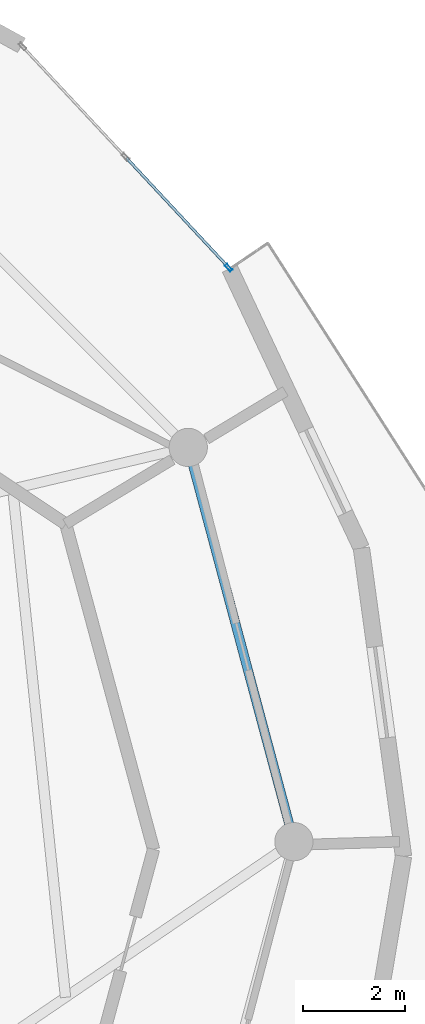
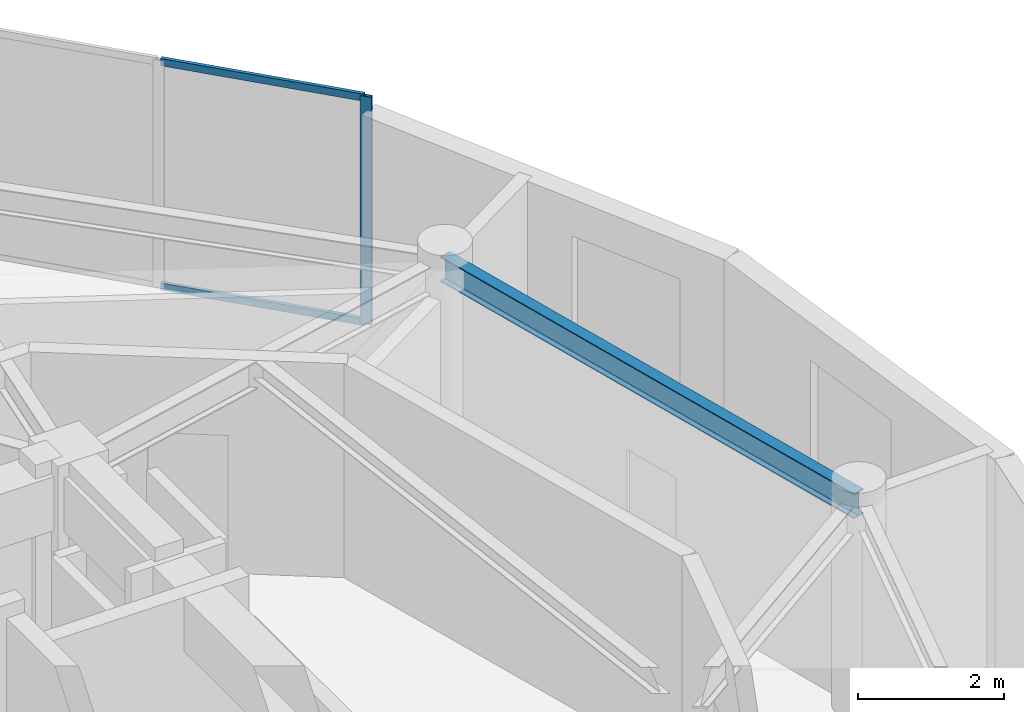
# One storey, part 12 of 23: 3 members, 1 beam, 1 element without a shape of its own.
"""IFC4 building model written with IfcOpenShell, lengths in metres."""

from ifc_helpers import new_model, si_unit, direction, frame, origin, origin_2d, place, context, subcontext, project, spatial, hollow_rectangle, i_section, extrude, source, transform, mapped, material, layer, layer_set, material_profile, profile_set, type_object, element, aggregate, save


model = new_model("IFC4")

# Units and contexts
model_context = context("Model", 3, precision=1e-05, world=origin(), true_north=direction((0.0, 1.0)))
body_context = subcontext(model_context, "Body", "Model", "MODEL_VIEW")
ifc_project = project(units=[si_unit("LENGTHUNIT", "METRE"), si_unit("AREAUNIT", "SQUARE_METRE"), si_unit("VOLUMEUNIT", "CUBIC_METRE"), si_unit("PLANEANGLEUNIT", "RADIAN"), si_unit("MASSUNIT", "GRAM", prefix="KILO")], contexts=[model_context])

# Site, building, storey
site_placement = place(None, origin())
site = spatial("IfcSite", under=ifc_project, at=site_placement, CompositionType="ELEMENT")
building_placement = place(site_placement, origin())
building = spatial("IfcBuilding", under=site, at=building_placement, Name="Solvirekh Grand Hotel", CompositionType="ELEMENT")
storey_placement = place(building_placement, frame((0.0, 0.0, 282.0)))
storey = spatial("IfcBuildingStorey", under=building, at=storey_placement, Name="L73", CompositionType="ELEMENT", Elevation=282.0)

# Beam
ifc_material_1 = material(Name="Steel S355", Category="steel")
ifc_material_profile_1 = material_profile(ifc_material_1, i_section(OverallWidth=0.180908203125, OverallDepth=0.4169921875, WebThickness=0.010009765625, FlangeThickness=0.01611328125, FilletRadius=0.011962890625, at=origin_2d()), Name="W410X85")
ifc_profile_set_1 = profile_set([ifc_material_profile_1], Name="Steel S355")
beam_type = type_object("IfcBeamType", Name="Spandrel_Ring_W410", PredefinedType="SPANDREL", material=ifc_profile_set_1)
beam_placement = place(storey_placement, frame((15.449951171875, 0.0, 3.361083984375), z_axis=(-0.258834757072, 0.965921616143, 0.0), x_axis=(-0.965921616143, -0.258834757072, 0.0)))
element("IfcBeam", 1, at=beam_placement, inside=storey, type_object=beam_type, Name="L73 perimeter spandrel beam 1", PredefinedType="SPANDREL", context=body_context, shape_type="SweptSolid", body=[
    extrude(i_section(OverallWidth=0.180908203125, OverallDepth=0.4169921875, WebThickness=0.010009765625, FlangeThickness=0.01611328125, FilletRadius=0.011962890625, at=origin_2d()), origin(), (0.0, 0.0, 1.0), 7.99755859375),
])

# Curtain wall, members
ifc_material_2 = material(Name="Anodized Bronze Aluminium 6063-T6", Category="aluminium")
ifc_layer = layer(ifc_material_2, 0.159912109375)
ifc_layer_set = layer_set([ifc_layer], Name="Anodized Bronze Aluminium 6063-T6")
curtain_wall_type = type_object("IfcCurtainWallType", Name="CW_Sys4_HighZoneFlushBronzeCW", PredefinedType="NOTDEFINED", material=ifc_layer_set)
curtain_wall_placement = place(storey_placement, origin())
curtain_wall = element("IfcCurtainWall", 2, at=curtain_wall_placement, inside=storey, type_object=curtain_wall_type, Name="L73 unitised bronze-glass curtain wall CW-L73-C08", PredefinedType="NOTDEFINED")
ifc_material_profile_2 = material_profile(ifc_material_2, hollow_rectangle(XDim=0.06005859375, YDim=0.159912109375, WallThickness=0.0048828125, at=origin_2d()), Name="ALU RHS 160X60X5")
ifc_profile_set_2 = profile_set([ifc_material_profile_2], Name="Anodized Bronze Aluminium 6063-T6")
member_type_1 = type_object("IfcMemberType", Name="CWMullion_Sys4", PredefinedType="MULLION", material=ifc_profile_set_2)
shared_shape_1 = source(origin(), body_context, "Body", "SweptSolid", [
    extrude(hollow_rectangle(XDim=0.06005859375, YDim=0.159912109375, WallThickness=0.0048828125, at=origin_2d()), origin(), (0.0, 0.0, 1.0), 3.800048828125),
])
member_1_placement = place(storey_placement, frame((14.172607421875, 11.2490234375, 0.0), z_axis=(0.0, 0.0, 1.0), x_axis=(-0.731482948511, -0.681859733403, 0.0)))
member_1 = element("IfcMember", 3, at=member_1_placement, type_object=member_type_1, Name="U04 mullion 1", PredefinedType="MULLION", context=body_context, shape_type="MappedRepresentation", body=[
    mapped(shared_shape_1, transform((0.0, 0.0, 0.0), x_axis=(1.0, 0.0, 0.0), y_axis=(0.0, 1.0, 0.0), z_axis=(0.0, 0.0, 1.0), scale=1.0)),
])
ifc_material_profile_3 = material_profile(ifc_material_2, hollow_rectangle(XDim=0.054931640625, YDim=0.1201171875, WallThickness=0.00390625, at=origin_2d()), Name="ALU RHS 120X55X4")
ifc_profile_set_3 = profile_set([ifc_material_profile_3], Name="Anodized Bronze Aluminium 6063-T6")
member_type_2 = type_object("IfcMemberType", Name="CWTransom_Sys4", PredefinedType="USERDEFINED", material=ifc_profile_set_3)
shared_shape_2 = source(origin(), body_context, "Body", "SweptSolid", [
    extrude(hollow_rectangle(XDim=0.054931640625, YDim=0.1201171875, WallThickness=0.00390625, at=origin_2d()), origin(), (0.0, 0.0, 1.0), 2.902587890625),
])
member_2_placement = place(storey_placement, frame((14.152099609375, 11.27099609375, 0.027587890625), z_axis=(-0.681901571994, 0.73144394598, 0.0), x_axis=(-0.73144394598, -0.681901571994, 0.0)))
member_2 = element("IfcMember", 4, at=member_2_placement, type_object=member_type_2, Name="U04 transom 1.1", ObjectType="TRANSOM", PredefinedType="USERDEFINED", context=body_context, shape_type="MappedRepresentation", body=[
    mapped(shared_shape_2, transform((0.0, 0.0, 0.0), x_axis=(1.0, 0.0, 0.0), y_axis=(0.0, 1.0, 0.0), z_axis=(0.0, 0.0, 1.0), scale=1.0)),
])
member_3_placement = place(storey_placement, frame((14.152099609375, 11.27099609375, 3.7724609375), z_axis=(-0.681901571994, 0.73144394598, 0.0), x_axis=(-0.73144394598, -0.681901571994, 0.0)))
member_3 = element("IfcMember", 5, at=member_3_placement, type_object=member_type_2, Name="U04 transom 1.2", ObjectType="TRANSOM", PredefinedType="USERDEFINED", context=body_context, shape_type="MappedRepresentation", body=[
    mapped(shared_shape_2, transform((0.0, 0.0, 0.0), x_axis=(1.0, 0.0, 0.0), y_axis=(0.0, 1.0, 0.0), z_axis=(0.0, 0.0, 1.0), scale=1.0)),
])
aggregate(curtain_wall, [member_1, member_2, member_3])

save(model, "model.ifc")
